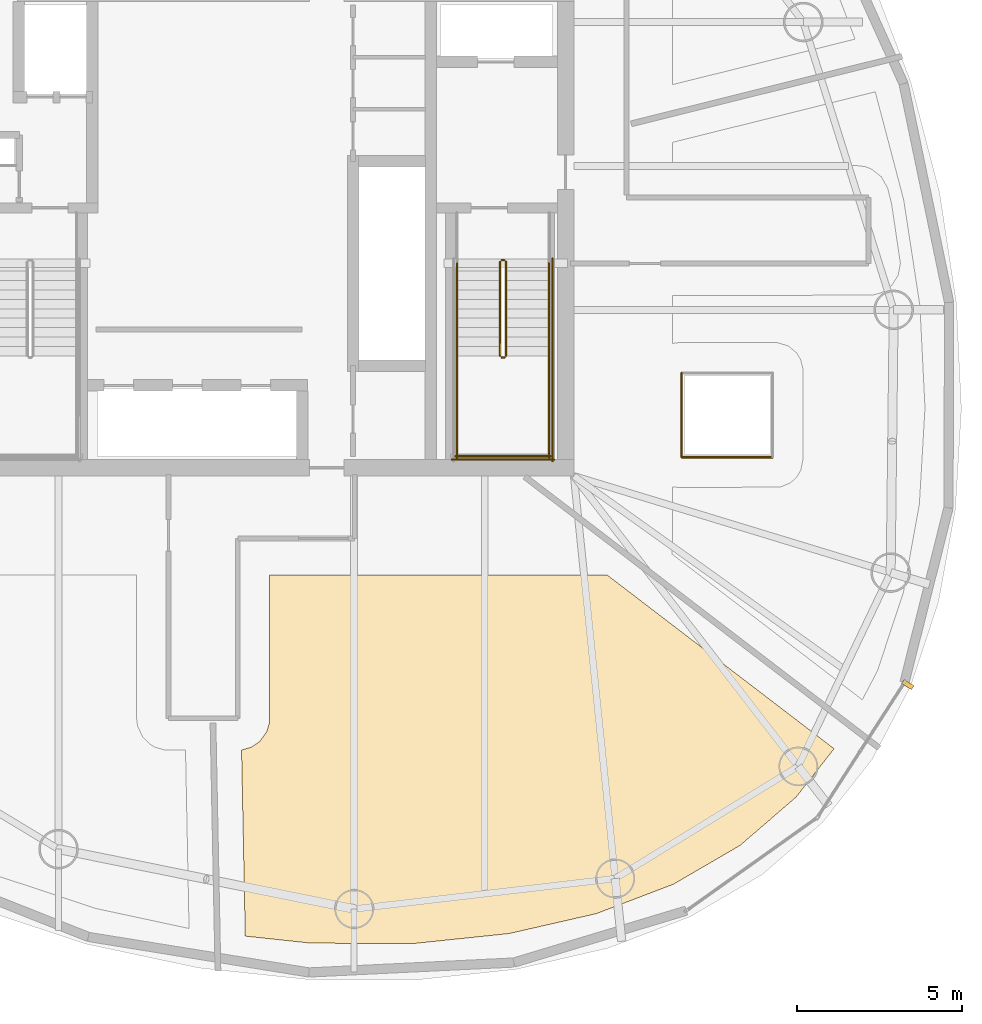
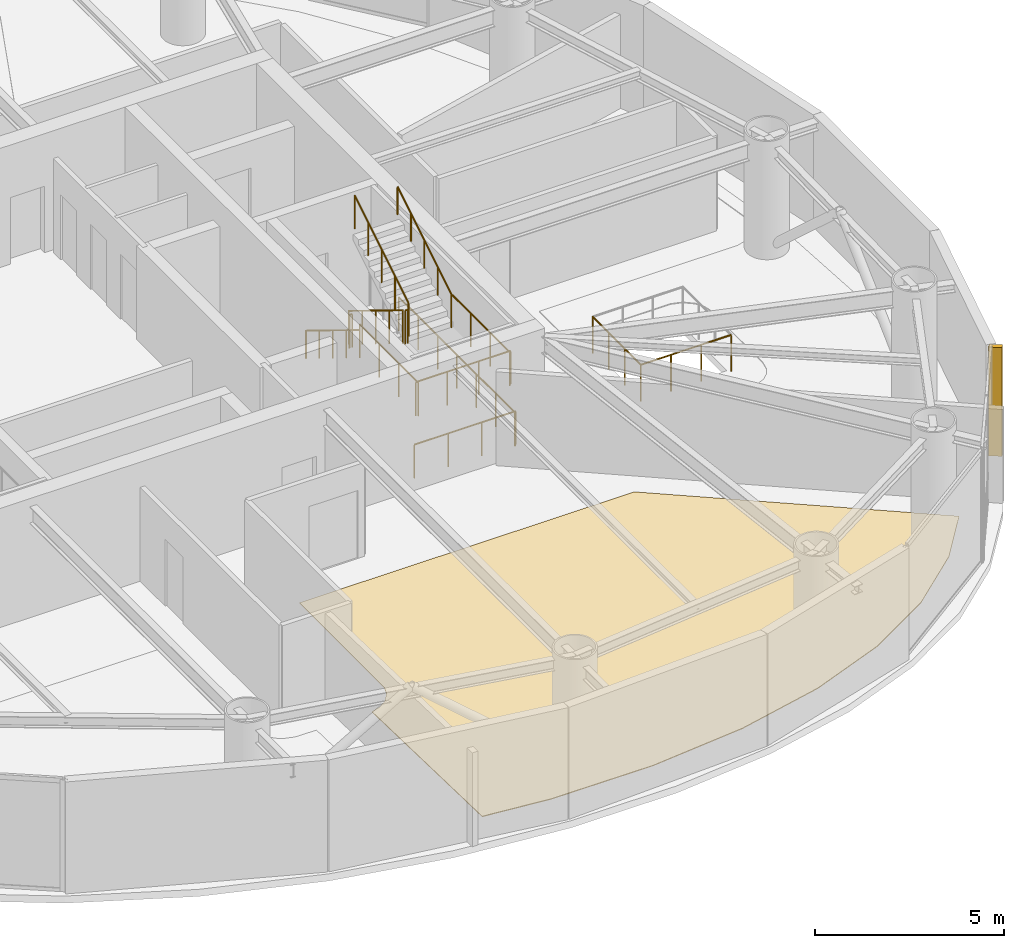
# One storey, part 17 of 18: 13 railings, 1 covering, 1 shading device.
"""IFC4 building model written with IfcOpenShell, lengths in metres."""

from ifc_helpers import new_model, si_unit, direction, frame, origin, origin_2d, place, context, subcontext, project, spatial, polyline, rectangle, circle, outline, extrude, material, layer, layer_set, type_object, element, save


model = new_model("IFC4")

# Units and contexts
model_context = context("Model", 3, precision=1e-05, world=origin(), true_north=direction((0.0, 1.0)))
body_context = subcontext(model_context, "Body", "Model", "MODEL_VIEW")
ifc_project = project(units=[si_unit("LENGTHUNIT", "METRE"), si_unit("AREAUNIT", "SQUARE_METRE"), si_unit("VOLUMEUNIT", "CUBIC_METRE"), si_unit("PLANEANGLEUNIT", "RADIAN"), si_unit("MASSUNIT", "GRAM", prefix="KILO")], contexts=[model_context])

# Site, building, storey
site_placement = place(None, origin())
site = spatial("IfcSite", under=ifc_project, at=site_placement, CompositionType="ELEMENT")
building_placement = place(site_placement, origin())
building = spatial("IfcBuilding", under=site, at=building_placement, Name="Bramvorn Convention Spire", CompositionType="ELEMENT")
storey_placement = place(building_placement, frame((0.0, 0.0, 205.85009765625)))
storey = spatial("IfcBuildingStorey", under=building, at=storey_placement, Name="L52", CompositionType="ELEMENT", Elevation=205.85009765625)

# Covering
ifc_material_1 = material(Name="Honed Dolomitic Limestone Terrazzo Flooring", Category="masonry")
ifc_layer = layer(ifc_material_1, 0.02490234375)
ifc_layer_set = layer_set([ifc_layer], Name="Honed Dolomitic Limestone Terrazzo Flooring - FLR-TERRAZZO-25")
covering_type = type_object("IfcCoveringType", Name="FLR-TERRAZZO-25", PredefinedType="FLOORING", material=ifc_layer_set)
covering_placement = place(storey_placement, origin())
element("IfcCovering", 1, at=covering_placement, inside=storey, type_object=covering_type, Name="L52 Reception Gallery 6 raised floor finish", PredefinedType="FLOORING", context=body_context, shape_type="SweptSolid", body=[
    extrude(outline(polyline([(39.27734375, 4.5888671875), (41.259521484375, 4.37548828125), (44.370361328125, 4.362060546875), (47.28125, 4.665283203125), (49.930419921875, 5.270263671875), (52.275390625, 6.1650390625), (54.2958984375, 7.34326171875), (55.99169921875, 8.806640625), (57.147216796875, 10.275390625), (50.25537109375, 15.550048828125), (40.02001953125, 15.550048828125), (40.008544921875, 11.052001953125), (39.92431640625, 10.780029296875), (39.705810546875, 10.4853515625), (39.459228515625, 10.32080078125), (39.16455078125, 10.237548828125), (39.27734375, 4.5888671875)])), origin(), (0.0, 0.0, 1.0), 0.02490234375),
])

# Railings
ifc_material_2 = material(Name="Warm Bronze Perforated Metal & Glass Balustrade", Category="glass")
railing_type_1 = type_object("IfcRailingType", Name="RL-POD-BALUSTRADE-1200", PredefinedType="BALUSTRADE", material=ifc_material_2)
railing_1_placement = place(storey_placement, frame((52.52001953125, 19.1201171875, 0.0)))
element("IfcRailing", 2, at=railing_1_placement, inside=storey, type_object=railing_type_1, Name="L52 Feature atrium void balustrade 1", PredefinedType="BALUSTRADE", context=body_context, shape_type="SweptSolid", body=[
    extrude(circle(Radius=0.02392578125, at=origin_2d()), frame((0.0, 0.0, 1.17578125), z_axis=(1.0, 0.0, 0.0), x_axis=(0.0, 1.0, 0.0)), (0.0, 0.0, 1.0), 2.760009765625),
    extrude(circle(Radius=0.02099609375, at=origin_2d()), origin(), (0.0, 0.0, 1.0), 1.15185546875),
    extrude(circle(Radius=0.02099609375, at=origin_2d()), frame((0.919921875, 0.0, 0.0)), (0.0, 0.0, 1.0), 1.15185546875),
    extrude(circle(Radius=0.02099609375, at=origin_2d()), frame((1.840087890625, 0.0, 0.0)), (0.0, 0.0, 1.0), 1.15185546875),
    extrude(circle(Radius=0.02099609375, at=origin_2d()), frame((2.760009765625, 0.0, 0.0)), (0.0, 0.0, 1.0), 1.15185546875),
])
railing_2_placement = place(storey_placement, frame((52.52001953125, 21.679931640625, 0.0)))
element("IfcRailing", 3, at=railing_2_placement, inside=storey, type_object=railing_type_1, Name="L52 Feature atrium void balustrade 4", PredefinedType="BALUSTRADE", context=body_context, shape_type="SweptSolid", body=[
    extrude(circle(Radius=0.02392578125, at=origin_2d()), frame((0.0, 0.0, 1.17578125), z_axis=(0.0, -1.0, 0.0), x_axis=(1.0, 0.0, 0.0)), (0.0, 0.0, 1.0), 2.559814453125),
    extrude(circle(Radius=0.02099609375, at=origin_2d()), origin(), (0.0, 0.0, 1.0), 1.15185546875),
    extrude(circle(Radius=0.02099609375, at=origin_2d()), frame((0.0, -0.853271484375, 0.0)), (0.0, 0.0, 1.0), 1.15185546875),
    extrude(circle(Radius=0.02099609375, at=origin_2d()), frame((0.0, -1.70654296875, 0.0)), (0.0, 0.0, 1.0), 1.15185546875),
    extrude(circle(Radius=0.02099609375, at=origin_2d()), frame((0.0, -2.559814453125, 0.0)), (0.0, 0.0, 1.0), 1.15185546875),
])
ifc_material_3 = material(Name="Painted Steel Balustrade & Guardrail", Category="steel")
railing_type_2 = type_object("IfcRailingType", Name="RL-STAIR-GUARD-1100", PredefinedType="GUARDRAIL", material=ifc_material_3)
railing_3_placement = place(storey_placement, frame((47.010009765625, 25.050048828125, 0.1748046875)))
element("IfcRailing", 4, at=railing_3_placement, inside=storey, type_object=railing_type_2, Name="L52 ST2 stair guard 1", PredefinedType="GUARDRAIL", context=body_context, shape_type="SweptSolid", body=[
    extrude(circle(Radius=0.02392578125, at=origin_2d()), frame((0.0, 0.0, 1.076171875), z_axis=(0.0, -0.852179220489, 0.52325001306), x_axis=(1.0, 0.0, 0.0)), (0.0, 0.0, 1.0), 3.344482421875),
    extrude(circle(Radius=0.02099609375, at=origin_2d()), origin(), (0.0, 0.0, 1.0), 1.052001953125),
    extrude(circle(Radius=0.02099609375, at=origin_2d()), frame((0.0, -0.71240234375, 0.4375)), (0.0, 0.0, 1.0), 1.052001953125),
    extrude(circle(Radius=0.02099609375, at=origin_2d()), frame((0.0, -1.425048828125, 0.875)), (0.0, 0.0, 1.0), 1.052001953125),
    extrude(circle(Radius=0.02099609375, at=origin_2d()), frame((0.0, -2.1376953125, 1.3125)), (0.0, 0.0, 1.0), 1.052001953125),
    extrude(circle(Radius=0.02099609375, at=origin_2d()), frame((0.0, -2.85009765625, 1.75)), (0.0, 0.0, 1.0), 1.052001953125),
])
railing_4_placement = place(storey_placement, frame((47.06005859375, 22.14990234375, 1.9248046875)))
element("IfcRailing", 5, at=railing_4_placement, inside=storey, type_object=railing_type_2, Name="L52 ST2 stair guard 2", PredefinedType="GUARDRAIL", context=body_context, shape_type="SweptSolid", body=[
    extrude(circle(Radius=0.02392578125, at=origin_2d()), frame((0.0, 0.0, 1.076171875), z_axis=(1.0, 0.0, 0.0), x_axis=(0.0, 1.0, 0.0)), (0.0, 0.0, 1.0), 0.079833984375),
    extrude(circle(Radius=0.02099609375, at=origin_2d()), origin(), (0.0, 0.0, 1.0), 1.052001953125),
    extrude(circle(Radius=0.02099609375, at=origin_2d()), frame((0.079833984375, 0.0, 0.0)), (0.0, 0.0, 1.0), 1.052001953125),
])
for number, where, name in (
    (6, (45.699951171875, 22.199951171875, 1.9248046875), "L52 ST2 stair guard 3"),
    (7, (48.5, 22.199951171875, 1.9248046875), "L52 ST2 stair guard 4"),
):
    element("IfcRailing", number, at=place(storey_placement, frame(where)), inside=storey, type_object=railing_type_2, Name=name, PredefinedType="GUARDRAIL", context=body_context, shape_type="SweptSolid", body=[
        extrude(circle(Radius=0.02392578125, at=origin_2d()), frame((0.0, 0.0, 1.076171875), z_axis=(0.0, -1.0, 0.0), x_axis=(1.0, 0.0, 0.0)), (0.0, 0.0, 1.0), 3.099853515625),
        extrude(circle(Radius=0.02099609375, at=origin_2d()), origin(), (0.0, 0.0, 1.0), 1.052001953125),
        extrude(circle(Radius=0.02099609375, at=origin_2d()), frame((0.0, -1.033203125, 0.0)), (0.0, 0.0, 1.0), 1.052001953125),
        extrude(circle(Radius=0.02099609375, at=origin_2d()), frame((0.0, -2.066650390625, 0.0)), (0.0, 0.0, 1.0), 1.052001953125),
        extrude(circle(Radius=0.02099609375, at=origin_2d()), frame((0.0, -3.099853515625, 0.0)), (0.0, 0.0, 1.0), 1.052001953125),
    ])
railing_5_placement = place(storey_placement, frame((45.64990234375, 19.14990234375, 1.9248046875)))
element("IfcRailing", 8, at=railing_5_placement, inside=storey, type_object=railing_type_2, Name="L52 ST2 stair guard 5", PredefinedType="GUARDRAIL", context=body_context, shape_type="SweptSolid", body=[
    extrude(circle(Radius=0.02392578125, at=origin_2d()), frame((0.0, 0.0, 1.076171875), z_axis=(1.0, 0.0, 0.0), x_axis=(0.0, 1.0, 0.0)), (0.0, 0.0, 1.0), 2.900146484375),
    extrude(circle(Radius=0.02099609375, at=origin_2d()), origin(), (0.0, 0.0, 1.0), 1.052001953125),
    extrude(circle(Radius=0.02099609375, at=origin_2d()), frame((0.966796875, 0.0, 0.0)), (0.0, 0.0, 1.0), 1.052001953125),
    extrude(circle(Radius=0.02099609375, at=origin_2d()), frame((1.933349609375, 0.0, 0.0)), (0.0, 0.0, 1.0), 1.052001953125),
    extrude(circle(Radius=0.02099609375, at=origin_2d()), frame((2.900146484375, 0.0, 0.0)), (0.0, 0.0, 1.0), 1.052001953125),
])
railing_6_placement = place(storey_placement, frame((47.18994140625, 22.199951171875, 2.099853515625)))
element("IfcRailing", 9, at=railing_6_placement, inside=storey, type_object=railing_type_2, Name="L52 ST2 stair guard 6", PredefinedType="GUARDRAIL", context=body_context, shape_type="SweptSolid", body=[
    extrude(circle(Radius=0.02392578125, at=origin_2d()), frame((0.0, 0.0, 1.076171875), z_axis=(0.0, 0.852179220489, 0.52325001306), x_axis=(-1.0, 0.0, 0.0)), (0.0, 0.0, 1.0), 3.344482421875),
    extrude(circle(Radius=0.02099609375, at=origin_2d()), origin(), (0.0, 0.0, 1.0), 1.052001953125),
    extrude(circle(Radius=0.02099609375, at=origin_2d()), frame((0.0, 0.71240234375, 0.4375)), (0.0, 0.0, 1.0), 1.052001953125),
    extrude(circle(Radius=0.02099609375, at=origin_2d()), frame((0.0, 1.425048828125, 0.875)), (0.0, 0.0, 1.0), 1.052001953125),
    extrude(circle(Radius=0.02099609375, at=origin_2d()), frame((0.0, 2.1376953125, 1.3125)), (0.0, 0.0, 1.0), 1.052001953125),
    extrude(circle(Radius=0.02099609375, at=origin_2d()), frame((0.0, 2.85009765625, 1.75)), (0.0, 0.0, 1.0), 1.052001953125),
])
railing_7_placement = place(storey_placement, frame((47.06005859375, 25.10009765625, 0.0)))
element("IfcRailing", 10, at=railing_7_placement, inside=storey, type_object=railing_type_2, Name="L52 ST2 stair guard 7", PredefinedType="GUARDRAIL", context=body_context, shape_type="SweptSolid", body=[
    extrude(circle(Radius=0.02392578125, at=origin_2d()), frame((0.0, 0.0, 1.076171875), z_axis=(1.0, 0.0, 0.0), x_axis=(0.0, 1.0, 0.0)), (0.0, 0.0, 1.0), 0.079833984375),
    extrude(circle(Radius=0.02099609375, at=origin_2d()), origin(), (0.0, 0.0, 1.0), 1.052001953125),
    extrude(circle(Radius=0.02099609375, at=origin_2d()), frame((0.079833984375, 0.0, 0.0)), (0.0, 0.0, 1.0), 1.052001953125),
])
railing_8_placement = place(storey_placement, frame((48.60009765625, 25.14990234375, 0.0)))
element("IfcRailing", 11, at=railing_8_placement, inside=storey, type_object=railing_type_2, Name="L52 ST2 stair guard 11", PredefinedType="GUARDRAIL", context=body_context, shape_type="SweptSolid", body=[
    extrude(circle(Radius=0.02392578125, at=origin_2d()), frame((0.0, 0.0, 1.076171875), z_axis=(0.0, -1.0, 0.0), x_axis=(1.0, 0.0, 0.0)), (0.0, 0.0, 1.0), 6.14990234375),
    extrude(circle(Radius=0.02099609375, at=origin_2d()), origin(), (0.0, 0.0, 1.0), 1.052001953125),
    extrude(circle(Radius=0.02099609375, at=origin_2d()), frame((0.0, -1.02490234375, 0.0)), (0.0, 0.0, 1.0), 1.052001953125),
    extrude(circle(Radius=0.02099609375, at=origin_2d()), frame((0.0, -2.050048828125, 0.0)), (0.0, 0.0, 1.0), 1.052001953125),
    extrude(circle(Radius=0.02099609375, at=origin_2d()), frame((0.0, -3.074951171875, 0.0)), (0.0, 0.0, 1.0), 1.052001953125),
    extrude(circle(Radius=0.02099609375, at=origin_2d()), frame((0.0, -4.099853515625, 0.0)), (0.0, 0.0, 1.0), 1.052001953125),
    extrude(circle(Radius=0.02099609375, at=origin_2d()), frame((0.0, -5.125, 0.0)), (0.0, 0.0, 1.0), 1.052001953125),
    extrude(circle(Radius=0.02099609375, at=origin_2d()), frame((0.0, -6.14990234375, 0.0)), (0.0, 0.0, 1.0), 1.052001953125),
])
railing_9_placement = place(storey_placement, frame((45.550048828125, 19.050048828125, 0.0)))
element("IfcRailing", 12, at=railing_9_placement, inside=storey, type_object=railing_type_2, Name="L52 ST2 stair guard 12", PredefinedType="GUARDRAIL", context=body_context, shape_type="SweptSolid", body=[
    extrude(circle(Radius=0.02392578125, at=origin_2d()), frame((0.0, 0.0, 1.076171875), z_axis=(1.0, 0.0, 0.0), x_axis=(0.0, 1.0, 0.0)), (0.0, 0.0, 1.0), 3.099853515625),
    extrude(circle(Radius=0.02099609375, at=origin_2d()), origin(), (0.0, 0.0, 1.0), 1.052001953125),
    extrude(circle(Radius=0.02099609375, at=origin_2d()), frame((1.033203125, 0.0, 0.0)), (0.0, 0.0, 1.0), 1.052001953125),
    extrude(circle(Radius=0.02099609375, at=origin_2d()), frame((2.066650390625, 0.0, 0.0)), (0.0, 0.0, 1.0), 1.052001953125),
    extrude(circle(Radius=0.02099609375, at=origin_2d()), frame((3.099853515625, 0.0, 0.0)), (0.0, 0.0, 1.0), 1.052001953125),
])
ifc_material_4 = material(Name="Brushed Bronze Tubular Handrail", Category="aluminium")
railing_type_3 = type_object("IfcRailingType", Name="RL-STAIR-HR-920", PredefinedType="HANDRAIL", material=ifc_material_4)
railing_10_placement = place(storey_placement, frame((45.699951171875, 25.050048828125, 0.1748046875)))
element("IfcRailing", 13, at=railing_10_placement, inside=storey, type_object=railing_type_3, Name="L52 ST2 stair handrail 1", PredefinedType="HANDRAIL", context=body_context, shape_type="SweptSolid", body=[
    extrude(circle(Radius=0.02392578125, at=origin_2d()), frame((0.0, 0.0, 0.89599609375), z_axis=(0.0, -0.852179220489, 0.52325001306), x_axis=(1.0, 0.0, 0.0)), (0.0, 0.0, 1.0), 3.344482421875),
    extrude(circle(Radius=0.02099609375, at=origin_2d()), origin(), (0.0, 0.0, 1.0), 0.871826171875),
    extrude(circle(Radius=0.02099609375, at=origin_2d()), frame((0.0, -0.71240234375, 0.4375)), (0.0, 0.0, 1.0), 0.871826171875),
    extrude(circle(Radius=0.02099609375, at=origin_2d()), frame((0.0, -1.425048828125, 0.875)), (0.0, 0.0, 1.0), 0.871826171875),
    extrude(circle(Radius=0.02099609375, at=origin_2d()), frame((0.0, -2.1376953125, 1.3125)), (0.0, 0.0, 1.0), 0.871826171875),
    extrude(circle(Radius=0.02099609375, at=origin_2d()), frame((0.0, -2.85009765625, 1.75)), (0.0, 0.0, 1.0), 0.871826171875),
])
railing_11_placement = place(storey_placement, frame((48.5, 22.199951171875, 2.099853515625)))
element("IfcRailing", 14, at=railing_11_placement, inside=storey, type_object=railing_type_3, Name="L52 ST2 stair handrail 2", PredefinedType="HANDRAIL", context=body_context, shape_type="SweptSolid", body=[
    extrude(circle(Radius=0.02392578125, at=origin_2d()), frame((0.0, 0.0, 0.89599609375), z_axis=(0.0, 0.852179220489, 0.52325001306), x_axis=(-1.0, 0.0, 0.0)), (0.0, 0.0, 1.0), 3.344482421875),
    extrude(circle(Radius=0.02099609375, at=origin_2d()), origin(), (0.0, 0.0, 1.0), 0.871826171875),
    extrude(circle(Radius=0.02099609375, at=origin_2d()), frame((0.0, 0.71240234375, 0.4375)), (0.0, 0.0, 1.0), 0.871826171875),
    extrude(circle(Radius=0.02099609375, at=origin_2d()), frame((0.0, 1.425048828125, 0.875)), (0.0, 0.0, 1.0), 0.871826171875),
    extrude(circle(Radius=0.02099609375, at=origin_2d()), frame((0.0, 2.1376953125, 1.3125)), (0.0, 0.0, 1.0), 0.871826171875),
    extrude(circle(Radius=0.02099609375, at=origin_2d()), frame((0.0, 2.85009765625, 1.75)), (0.0, 0.0, 1.0), 0.871826171875),
])

# Shading device
ifc_material_5 = material(Name="Extruded Champagne Bronze Aluminium Lancet Fin", Category="aluminium")
shading_device_type = type_object("IfcShadingDeviceType", Name="SHD-FIN-LANCET", PredefinedType="SHUTTER", material=ifc_material_5)
shading_device_placement = place(storey_placement, frame((59.3828125, 12.221435546875, 0.0498046875), z_axis=(0.0, 0.0, 1.0), x_axis=(0.84059741207, -0.541660401748, 0.0)))
element("IfcShadingDevice", 15, at=shading_device_placement, inside=storey, type_object=shading_device_type, Name="L52 Gothic bronze wind-corner fin 01", PredefinedType="SHUTTER", context=body_context, shape_type="SweptSolid", body=[
    extrude(rectangle(XDim=0.360107421875, YDim=0.139892578125, at=origin_2d()), origin(), (0.0, 0.0, 1.0), 3.52001953125),
])

save(model, "model.ifc")
